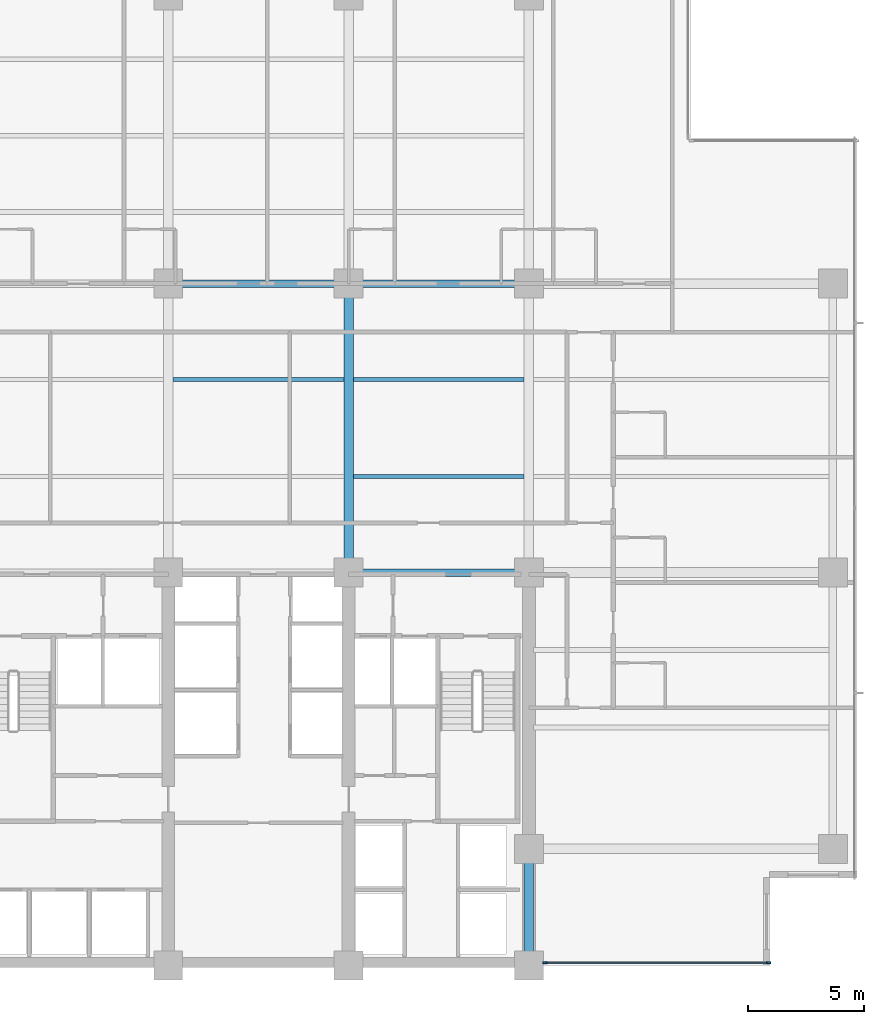
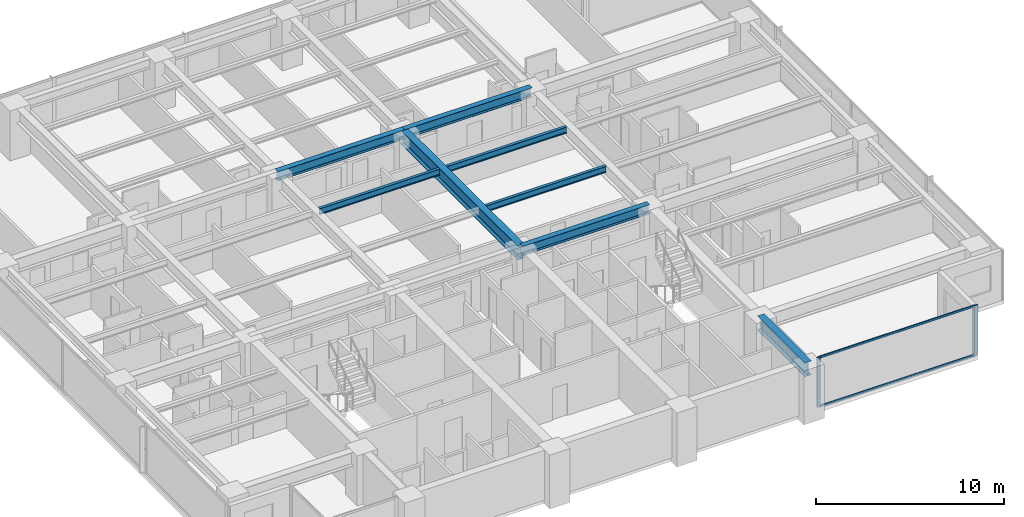
# One storey, part 3 of 17: 8 beams, 4 members, 1 element without a shape of its own.
"""IFC4 building model written with IfcOpenShell, lengths in metres."""

from ifc_helpers import new_model, si_unit, direction, frame, origin, origin_2d, place, context, subcontext, project, spatial, rectangle, i_section, extrude, material, layer, layer_set, material_profile, profile_set, type_object, element, aggregate, save


model = new_model("IFC4")

# Units and contexts
model_context = context("Model", 3, precision=1e-05, world=origin(), true_north=direction((0.0, 1.0)))
body_context = subcontext(model_context, "Body", "Model", "MODEL_VIEW")
ifc_project = project(units=[si_unit("LENGTHUNIT", "METRE"), si_unit("AREAUNIT", "SQUARE_METRE"), si_unit("VOLUMEUNIT", "CUBIC_METRE"), si_unit("PLANEANGLEUNIT", "RADIAN"), si_unit("MASSUNIT", "GRAM", prefix="KILO")], contexts=[model_context])

# Site, building, storey
site_placement = place(None, origin())
site = spatial("IfcSite", under=ifc_project, at=site_placement, CompositionType="ELEMENT")
building_placement = place(site_placement, origin())
building = spatial("IfcBuilding", under=site, at=building_placement, Name="Qalmaran Belvedere Hotel", CompositionType="ELEMENT")
storey_placement = place(building_placement, frame((0.0, 0.0, 102.199951171875)))
storey = spatial("IfcBuildingStorey", under=building, at=storey_placement, Name="L25", CompositionType="ELEMENT", Elevation=102.199951171875)

# Beams
ifc_material_1 = material(Name="Steel S355JR", Category="steel")
ifc_material_profile_1 = material_profile(ifc_material_1, i_section(OverallWidth=0.41796875, OverallDepth=0.912109375, WebThickness=0.019287109375, FlangeThickness=0.031982421875, FilletRadius=0.02392578125, at=origin_2d()), Name="W920X342")
ifc_profile_set_1 = profile_set([ifc_material_profile_1], Name="Steel S355JR")
beam_type_1 = type_object("IfcBeamType", Name="BM-PG2-W920X342", PredefinedType="USERDEFINED", material=ifc_profile_set_1)
beam_1_placement = place(storey_placement, frame((37.0, 20.5, 2.783935546875), z_axis=(0.0, 1.0, 0.0), x_axis=(-1.0, 0.0, 0.0)))
element("IfcBeam", 1, at=beam_1_placement, inside=storey, type_object=beam_type_1, Name="L25 Mid-Plate N-S Girder 18", ObjectType="GIRDER", PredefinedType="USERDEFINED", context=body_context, shape_type="SweptSolid", body=[
    extrude(i_section(OverallWidth=0.41796875, OverallDepth=0.912109375, WebThickness=0.019287109375, FlangeThickness=0.031982421875, FilletRadius=0.02392578125, at=origin_2d()), origin(), (0.0, 0.0, 1.0), 12.5),
])
beam_2_placement = place(storey_placement, frame((44.800048828125, 3.5, 2.783935546875), z_axis=(0.0, 1.0, 0.0), x_axis=(-1.0, 0.0, 0.0)))
element("IfcBeam", 2, at=beam_2_placement, inside=storey, type_object=beam_type_1, Name="L25 East Core Edge Girder A", ObjectType="GIRDER", PredefinedType="USERDEFINED", context=body_context, shape_type="SweptSolid", body=[
    extrude(i_section(OverallWidth=0.41796875, OverallDepth=0.912109375, WebThickness=0.019287109375, FlangeThickness=0.031982421875, FilletRadius=0.02392578125, at=origin_2d()), origin(), (0.0, 0.0, 1.0), 5.050048828125),
])
ifc_material_profile_2 = material_profile(ifc_material_1, i_section(OverallWidth=0.177978515625, OverallDepth=0.406982421875, WebThickness=0.0078125, FlangeThickness=0.0126953125, FilletRadius=0.014892578125, at=origin_2d()), Name="W410X60")
ifc_profile_set_2 = profile_set([ifc_material_profile_2], Name="Steel S355JR")
beam_type_2 = type_object("IfcBeamType", Name="BM-SB2-W410X60", PredefinedType="BEAM", material=ifc_profile_set_2)
for number, where, z_axis, x_axis, name in (
    (3, (37.20703125, 24.64990234375, 3.03662109375), (1.0, 0.0, 0.0), (0.0, 1.0, 0.0), "L25 Secondary Floor Beam 031"),
    (4, (29.406982421875, 28.85009765625, 3.03662109375), (1.0, 0.0, 0.0), (0.0, 1.0, 0.0), "L25 Secondary Floor Beam 035"),
    (5, (37.20703125, 28.85009765625, 3.03662109375), (1.0, 0.0, 0.0), (0.0, 1.0, 0.0), "L25 Secondary Floor Beam 036"),
):
    element("IfcBeam", number, at=place(storey_placement, frame(where, z_axis=z_axis, x_axis=x_axis)), inside=storey, type_object=beam_type_2, Name=name, PredefinedType="BEAM", context=body_context, shape_type="SweptSolid", body=[
        extrude(i_section(OverallWidth=0.177978515625, OverallDepth=0.406982421875, WebThickness=0.0078125, FlangeThickness=0.0126953125, FilletRadius=0.014892578125, at=origin_2d()), origin(), (0.0, 0.0, 1.0), 7.385986328125),
    ])
ifc_material_profile_3 = material_profile(ifc_material_1, i_section(OverallWidth=0.323974609375, OverallDepth=0.611083984375, WebThickness=0.0126953125, FlangeThickness=0.01904296875, FilletRadius=0.02001953125, at=origin_2d()), Name="W610X155")
ifc_profile_set_3 = profile_set([ifc_material_profile_3], Name="Steel S355JR")
beam_type_3 = type_object("IfcBeamType", Name="BM-Z2-W610X155", PredefinedType="USERDEFINED", material=ifc_profile_set_3)
for number, where, z_axis, x_axis, name in (
    (6, (37.0, 20.5, 2.9345703125), (1.0, 0.0, 0.0), (0.0, 1.0, 0.0), "L25 Interior E-W Girder 10"),
    (7, (29.199951171875, 33.0, 2.9345703125), (1.0, 0.0, 0.0), (0.0, 1.0, 0.0), "L25 Interior E-W Girder 12"),
    (8, (37.0, 33.0, 2.9345703125), (1.0, 0.0, 0.0), (0.0, 1.0, 0.0), "L25 Interior E-W Girder 13"),
):
    element("IfcBeam", number, at=place(storey_placement, frame(where, z_axis=z_axis, x_axis=x_axis)), inside=storey, type_object=beam_type_3, Name=name, ObjectType="GIRDER", PredefinedType="USERDEFINED", context=body_context, shape_type="SweptSolid", body=[
        extrude(i_section(OverallWidth=0.323974609375, OverallDepth=0.611083984375, WebThickness=0.0126953125, FlangeThickness=0.01904296875, FilletRadius=0.02001953125, at=origin_2d()), origin(), (0.0, 0.0, 1.0), 7.800048828125),
    ])

# Curtain wall, members
ifc_material_2 = material(Name="Anodised Bronze Aluminium", Category="aluminium")
ifc_layer = layer(ifc_material_2, 0.199951171875, Name="Anodised Bronze Aluminium")
ifc_layer_set = layer_set([ifc_layer], Name="Anodised Bronze Aluminium")
curtain_wall_type = type_object("IfcCurtainWallType", Name="CW3-TOWER-LOWMID", PredefinedType="NOTDEFINED", material=ifc_layer_set)
curtain_wall_placement = place(storey_placement, origin())
curtain_wall = element("IfcCurtainWall", 9, at=curtain_wall_placement, inside=storey, type_object=curtain_wall_type, Name="L25 Curtain Wall CW3", PredefinedType="NOTDEFINED")
ifc_material_profile_4 = material_profile(ifc_material_2, rectangle(XDim=0.070068359375, YDim=0.18994140625, at=origin_2d()), Name="CWM70X190")
ifc_profile_set_4 = profile_set([ifc_material_profile_4], Name="Anodised Bronze Aluminium")
member_type_1 = type_object("IfcMemberType", Name="CWM-70X190", PredefinedType="MULLION", material=ifc_profile_set_4)
member_1_placement = place(storey_placement, frame((45.5, 3.6201171875, 0.0), z_axis=(0.0, 0.0, 1.0), x_axis=(0.0, 1.0, 0.0)))
member_1 = element("IfcMember", 10, at=member_1_placement, type_object=member_type_1, Name="CW3 mullion 1", PredefinedType="MULLION", context=body_context, shape_type="SweptSolid", body=[
    extrude(rectangle(XDim=0.070068359375, YDim=0.18994140625, at=origin_2d()), origin(), (0.0, 0.0, 1.0), 3.239990234375),
])
member_2_placement = place(storey_placement, frame((55.1650390625, 3.6201171875, 0.0), z_axis=(0.0, 0.0, 1.0), x_axis=(0.0, 1.0, 0.0)))
member_2 = element("IfcMember", 11, at=member_2_placement, type_object=member_type_1, Name="CW3 mullion 2", PredefinedType="MULLION", context=body_context, shape_type="SweptSolid", body=[
    extrude(rectangle(XDim=0.070068359375, YDim=0.18994140625, at=origin_2d()), origin(), (0.0, 0.0, 1.0), 3.239990234375),
])
ifc_material_profile_5 = material_profile(ifc_material_2, rectangle(XDim=0.06494140625, YDim=0.1298828125, at=origin_2d()), Name="CWT65X130")
ifc_profile_set_5 = profile_set([ifc_material_profile_5], Name="Anodised Bronze Aluminium")
member_type_2 = type_object("IfcMemberType", Name="CWT-65X130", PredefinedType="USERDEFINED", material=ifc_profile_set_5)
member_3_placement = place(storey_placement, frame((45.534912109375, 3.6201171875, 0.032470703125), z_axis=(1.0, 0.0, 0.0), x_axis=(0.0, 1.0, 0.0)))
member_3 = element("IfcMember", 12, at=member_3_placement, type_object=member_type_2, Name="CW3 transom 1.1", ObjectType="TRANSOM", PredefinedType="USERDEFINED", context=body_context, shape_type="SweptSolid", body=[
    extrude(rectangle(XDim=0.06494140625, YDim=0.1298828125, at=origin_2d()), origin(), (0.0, 0.0, 1.0), 9.594970703125),
])
member_4_placement = place(storey_placement, frame((45.534912109375, 3.6201171875, 3.20751953125), z_axis=(1.0, 0.0, 0.0), x_axis=(0.0, 1.0, 0.0)))
member_4 = element("IfcMember", 13, at=member_4_placement, type_object=member_type_2, Name="CW3 transom 1.2", ObjectType="TRANSOM", PredefinedType="USERDEFINED", context=body_context, shape_type="SweptSolid", body=[
    extrude(rectangle(XDim=0.06494140625, YDim=0.1298828125, at=origin_2d()), origin(), (0.0, 0.0, 1.0), 9.594970703125),
])
aggregate(curtain_wall, [member_1, member_2, member_3, member_4])

save(model, "model.ifc")
